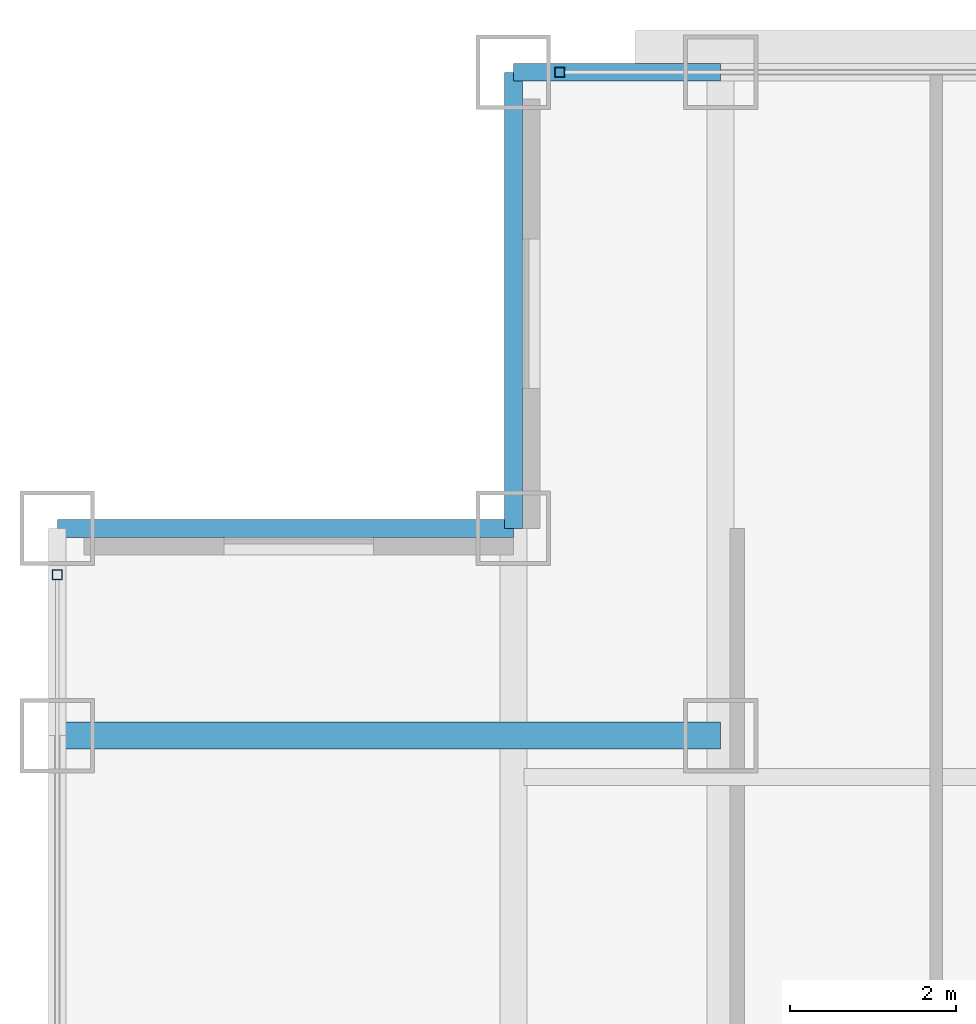
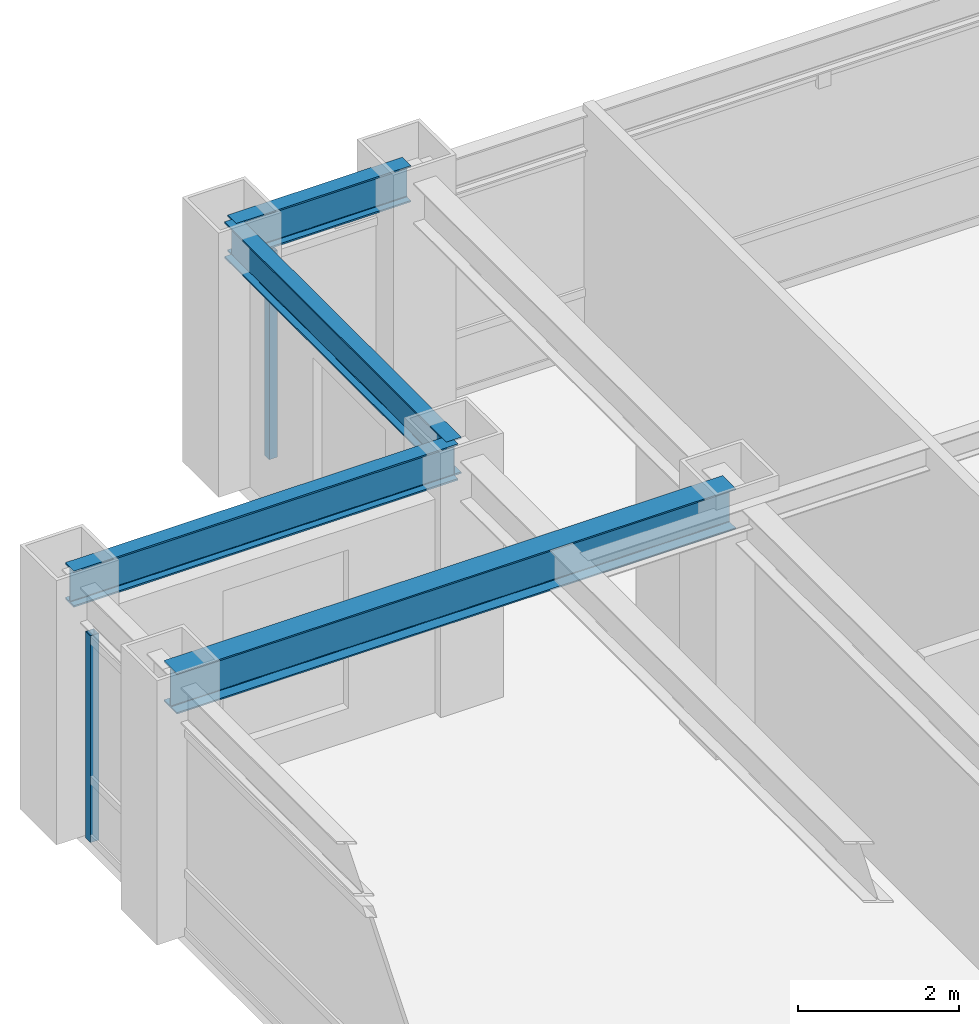
# One storey, part 12 of 27: 4 beams, 2 members, 2 elements without a shape of their own.
"""IFC4 building model written with IfcOpenShell, lengths in metres."""

import ifcopenshell
import ifcopenshell.guid

model = None  # the IFC model being written
_history = None  # IfcOwnerHistory: only IFC2X3 demands one
_inside = {}  # id of a spatial element -> (the spatial element, [elements in it])
_under = {}  # id of a project, library or spatial element -> (it, [spatial elements below it])
_declared = {}  # id of a project -> (the project, [libraries it declares])
_typed = {}  # id of a type object -> (the type object, [elements of that type])
_made_of = {}  # id of a material, layer set ... -> (it, [elements and type objects made of it])


def new_model(schema):
    """Start an empty IFC model of exactly this schema.

    Asked for "IFC4X3", IfcOpenShell would pick the latest addendum, in which some entities
    have other attributes; the version numbers below select the first issue.
    IFC2X3 requires an IfcOwnerHistory on every rooted entity: one is made here for all.
    """
    global model, _history
    if schema == "IFC4X3":
        model = ifcopenshell.file(schema_version=(4, 3, 0, 0))
    else:
        model = ifcopenshell.file(schema=schema)
    _inside.clear()
    _under.clear()
    _declared.clear()
    _typed.clear()
    _made_of.clear()
    _history = None
    if model.schema == "IFC2X3":
        org = make("IfcOrganization", Name="unknown")
        user = make(
            "IfcPersonAndOrganization",
            ThePerson=make("IfcPerson", FamilyName="unknown"),
            TheOrganization=org,
        )
        app = make(
            "IfcApplication",
            ApplicationDeveloper=org,
            Version="unknown",
            ApplicationFullName="unknown",
            ApplicationIdentifier="unknown",
        )
        _history = make(
            "IfcOwnerHistory",
            OwningUser=user,
            OwningApplication=app,
            ChangeAction="ADDED",
            CreationDate=0,
        )
    return model


def make(cls, **values):
    """One entity of the class cls with the attributes given. An attribute that is None is left unset."""
    return model.create_entity(
        cls, **{name: value for name, value in values.items() if value is not None}
    )


def rooted(cls, **values):
    """An entity with a GlobalId (a new one), such as an element, a storey or a relation."""
    return make(cls, GlobalId=ifcopenshell.guid.new(), OwnerHistory=_history, **values)


def si_unit(unit_type, name, prefix=None):
    """IfcSIUnit, for example si_unit("LENGTHUNIT", "METRE", prefix="MILLI")."""
    return make("IfcSIUnit", UnitType=unit_type, Prefix=prefix, Name=name)


def assignment(units):
    """IfcUnitAssignment: the units of a project."""
    return None if units is None else make("IfcUnitAssignment", Units=units)


def point(xyz):
    """IfcCartesianPoint."""
    return None if xyz is None else make("IfcCartesianPoint", Coordinates=xyz)


def direction(xyz):
    """IfcDirection."""
    return None if xyz is None else make("IfcDirection", DirectionRatios=xyz)


def frame(location, z_axis=None, x_axis=None):
    """IfcAxis2Placement3D, a coordinate frame: its origin and axes. An axis left out is left unset."""
    return make(
        "IfcAxis2Placement3D",
        Location=point(location),
        Axis=direction(z_axis),
        RefDirection=direction(x_axis),
    )


def frame_2d(location, x_axis=None):
    """IfcAxis2Placement2D, a coordinate frame in the plane: its origin and x axis."""
    return make(
        "IfcAxis2Placement2D", Location=point(location), RefDirection=direction(x_axis)
    )


def origin():
    """The frame at (0, 0, 0) with its axes left unset."""
    return frame((0.0, 0.0, 0.0))


def origin_2d():
    """The frame at (0, 0) in the plane with its x axis left unset."""
    return frame_2d((0.0, 0.0))


def place(relative_to, where):
    """IfcLocalPlacement: puts the frame where relative to a parent placement (None: the world)."""
    return make(
        "IfcLocalPlacement", PlacementRelTo=relative_to, RelativePlacement=where
    )


def context(
    kind, dimensions, precision=None, world=None, true_north=None, identifier=None
):
    """IfcGeometricRepresentationContext, for example the 3D "Model" context."""
    return make(
        "IfcGeometricRepresentationContext",
        ContextIdentifier=identifier,
        ContextType=kind,
        CoordinateSpaceDimension=dimensions,
        Precision=precision,
        WorldCoordinateSystem=world,
        TrueNorth=true_north,
    )


def subcontext(parent, identifier, kind, view, scale=None):
    """IfcGeometricRepresentationSubContext, for example "Body" below "Model"."""
    return make(
        "IfcGeometricRepresentationSubContext",
        ContextIdentifier=identifier,
        ContextType=kind,
        ParentContext=parent,
        TargetScale=scale,
        TargetView=view,
    )


def project(units=None, contexts=None):
    """IfcProject with its units and contexts."""
    return rooted(
        "IfcProject",
        Name="project",
        RepresentationContexts=contexts,
        UnitsInContext=assignment(units),
    )


def spatial(cls, under=None, at=None, **own):
    """A site, building, storey or space (cls), placed at a placement, below another one or the project."""
    s = rooted(cls, ObjectPlacement=at, **own)
    if under is not None:
        _under.setdefault(under.id(), (under, []))[1].append(s)
    return s


def profile(cls, at=None, kind="AREA", **sizes):
    """A parametric profile (cls). Its sizes go by their IFC names, for example OverallWidth=200.0."""
    return make(cls, ProfileType=kind, Position=at, **sizes)


def hollow_rectangle(**sizes):
    """IfcRectangleHollowProfileDef."""
    return profile("IfcRectangleHollowProfileDef", **sizes)


def i_section(**sizes):
    """IfcIShapeProfileDef."""
    return profile("IfcIShapeProfileDef", **sizes)


def extrude(swept, where, along, depth):
    """IfcExtrudedAreaSolid: the profile swept, set in the frame where, extruded along a direction by depth."""
    return make(
        "IfcExtrudedAreaSolid",
        SweptArea=swept,
        Position=where,
        ExtrudedDirection=direction(along),
        Depth=depth,
    )


def shape(context_of_items, identifier, shape_type, items):
    """IfcShapeRepresentation: the items that make up one representation, for example the "Body"."""
    return make(
        "IfcShapeRepresentation",
        ContextOfItems=context_of_items,
        RepresentationIdentifier=identifier,
        RepresentationType=shape_type,
        Items=items,
    )


def source(mapping_origin, context_of_items, identifier, shape_type, items):
    """IfcRepresentationMap: a shape defined once, which mapped items show again and again."""
    return make(
        "IfcRepresentationMap",
        MappingOrigin=mapping_origin,
        MappedRepresentation=shape(context_of_items, identifier, shape_type, items),
    )


def transform(
    local_origin,
    x_axis=None,
    y_axis=None,
    z_axis=None,
    scale=None,
    scale2=None,
    scale3=None,
    uniform=True,
):
    """IfcCartesianTransformationOperator3D, or its non-uniform kind. x_axis, y_axis, z_axis: its Axis1, 2, 3."""
    if uniform:
        return make(
            "IfcCartesianTransformationOperator3D",
            Axis1=direction(x_axis),
            Axis2=direction(y_axis),
            LocalOrigin=point(local_origin),
            Scale=scale,
            Axis3=direction(z_axis),
        )
    return make(
        "IfcCartesianTransformationOperator3DnonUniform",
        Axis1=direction(x_axis),
        Axis2=direction(y_axis),
        LocalOrigin=point(local_origin),
        Scale=scale,
        Axis3=direction(z_axis),
        Scale2=scale2,
        Scale3=scale3,
    )


def mapped(mapping_source, mapping_target):
    """IfcMappedItem: shows the shape of a source again, moved by a transform."""
    return make(
        "IfcMappedItem", MappingSource=mapping_source, MappingTarget=mapping_target
    )


def material(Name=None, Category=None):
    """IfcMaterial."""
    return make("IfcMaterial", Name=Name, Category=Category)


def material_profile(
    of_material, cross_section, Name=None, Category=None, Priority=None
):
    """IfcMaterialProfile: a cross section and its material."""
    return make(
        "IfcMaterialProfile",
        Name=Name,
        Material=of_material,
        Profile=cross_section,
        Priority=Priority,
        Category=Category,
    )


def profile_set(profiles, Name=None, composite=None):
    """IfcMaterialProfileSet."""
    return make(
        "IfcMaterialProfileSet",
        Name=Name,
        MaterialProfiles=profiles,
        CompositeProfile=composite,
    )


def made_of(thing, what):
    """Note that an element or type object is made of a material, layer set ...; save() writes the relation."""
    if what is not None:
        _made_of.setdefault(what.id(), (what, []))[1].append(thing)
    return thing


def type_object(cls, material=None, **own):
    """A type object (cls), such as IfcWallType, which elements share."""
    return made_of(rooted(cls, **own), material)


def element(
    cls,
    number,
    at=None,
    inside=None,
    cuts=None,
    type_object=None,
    material=None,
    context=None,
    identifier="Body",
    shape_type=None,
    held_by="IfcProductDefinitionShape",
    body=None,
    shapes=None,
    **own,
):
    """One element of the class cls, such as IfcWall. Its Tag is "e" and its number.

    at: its placement. inside: the storey or other place that contains it. cuts: it is an
    opening in that element (IfcRelVoidsElement). A single representation is given by context,
    identifier, shape_type and body (its items); several are given by shapes. held_by: the class
    of the entity that holds the representations. save() writes the other relations.
    """
    e = rooted(cls, Tag="e%d" % number, ObjectPlacement=at, **own)
    if body is not None:
        shapes = [shape(context, identifier, shape_type, body)]
    if shapes is not None:
        e.Representation = make(held_by, Representations=shapes)
    if inside is not None:
        _inside.setdefault(inside.id(), (inside, []))[1].append(e)
    if cuts is not None:
        rooted(
            "IfcRelVoidsElement", RelatingBuildingElement=cuts, RelatedOpeningElement=e
        )
    if type_object is not None:
        _typed.setdefault(type_object.id(), (type_object, []))[1].append(e)
    return made_of(e, material)


def aggregate(whole, parts):
    """IfcRelAggregates: a whole, such as a stair, and the parts it consists of."""
    return rooted("IfcRelAggregates", RelatingObject=whole, RelatedObjects=parts)


def save(model, path):
    """Write the relations noted so far, then the file.

    IfcRelAggregates (storeys below a building ...), IfcRelContainedInSpatialStructure (elements
    in a storey), IfcRelDefinesByType, IfcRelAssociatesMaterial and IfcRelDeclares: one each for
    every whole, place, type object, material and project.
    """
    for whole, parts in _under.values():
        aggregate(whole, parts)
    for where, things in _inside.values():
        rooted(
            "IfcRelContainedInSpatialStructure",
            RelatedElements=things,
            RelatingStructure=where,
        )
    for kind, things in _typed.values():
        rooted("IfcRelDefinesByType", RelatedObjects=things, RelatingType=kind)
    for what, things in _made_of.values():
        rooted("IfcRelAssociatesMaterial", RelatedObjects=things, RelatingMaterial=what)
    for by, libraries in _declared.values():
        rooted("IfcRelDeclares", RelatingContext=by, RelatedDefinitions=libraries)
    model.write(path)


model = new_model("IFC4")

# Units and contexts
model_context = context("Model", 3, precision=1e-05, world=origin(), true_north=direction((0.0, 1.0)))
body_context = subcontext(model_context, "Body", "Model", "MODEL_VIEW")
ifc_project = project(units=[si_unit("LENGTHUNIT", "METRE"), si_unit("AREAUNIT", "SQUARE_METRE"), si_unit("VOLUMEUNIT", "CUBIC_METRE"), si_unit("PLANEANGLEUNIT", "RADIAN"), si_unit("MASSUNIT", "GRAM", prefix="KILO")], contexts=[model_context])

# Site, building, storey
site_placement = place(None, origin())
site = spatial("IfcSite", under=ifc_project, at=site_placement, CompositionType="ELEMENT")
building_placement = place(site_placement, origin())
building = spatial("IfcBuilding", under=site, at=building_placement, Name="Khorayat Bourse Tower", CompositionType="ELEMENT")
storey_placement = place(building_placement, frame((0.0, 0.0, 317.5)))
storey = spatial("IfcBuildingStorey", under=building, at=storey_placement, Name="L75", CompositionType="ELEMENT", Elevation=317.5)

# Beams
ifc_material_1 = material(Name="Steel ASTM A992 Grade 50", Category="steel")
ifc_material_profile_1 = material_profile(ifc_material_1, i_section(OverallWidth=0.324951171875, OverallDepth=0.615966796875, WebThickness=0.013916015625, FlangeThickness=0.021484375, FilletRadius=0.01611328125, at=origin_2d()), Name="W610X174")
ifc_profile_set_1 = profile_set([ifc_material_profile_1], Name="Steel ASTM A992 Grade 50")
beam_type_1 = type_object("IfcBeamType", Name="BM-GIRD-610", PredefinedType="BEAM", material=ifc_profile_set_1)
shared_shape_1 = source(origin(), body_context, "Body", "SweptSolid", [
    extrude(i_section(OverallWidth=0.324951171875, OverallDepth=0.615966796875, WebThickness=0.013916015625, FlangeThickness=0.021484375, FilletRadius=0.01611328125, at=origin_2d()), origin(), (0.0, 0.0, 1.0), 8.0),
])
beam_1_placement = place(storey_placement, frame((-28.0, 20.0, 3.471923828125), z_axis=(1.0, 0.0, 0.0), x_axis=(0.0, 1.0, 0.0)))
element("IfcBeam", 1, at=beam_1_placement, inside=storey, type_object=beam_type_1, Name="L75 BM-GIRD-610 BM-L75-CNRX-095", PredefinedType="BEAM", context=body_context, shape_type="MappedRepresentation", body=[
    mapped(shared_shape_1, transform((0.0, 0.0, 0.0), scale=1.0)),
])
ifc_material_profile_2 = material_profile(ifc_material_1, i_section(OverallWidth=0.214111328125, OverallDepth=0.549072265625, WebThickness=0.0146484375, FlangeThickness=0.023681640625, FilletRadius=0.013916015625, at=origin_2d()), Name="W530X138")
ifc_profile_set_2 = profile_set([ifc_material_profile_2], Name="Steel ASTM A992 Grade 50")
beam_type_2 = type_object("IfcBeamType", Name="BM-SPAN-530", PredefinedType="SPANDREL", material=ifc_profile_set_2)
shared_shape_2 = source(origin(), body_context, "Body", "SweptSolid", [
    extrude(i_section(OverallWidth=0.214111328125, OverallDepth=0.549072265625, WebThickness=0.0146484375, FlangeThickness=0.023681640625, FilletRadius=0.013916015625, at=origin_2d()), origin(), (0.0, 0.0, 1.0), 2.5),
])
beam_2_placement = place(storey_placement, frame((-22.5, 28.0, 3.505615234375), z_axis=(1.0, 0.0, 0.0), x_axis=(0.0, 1.0, 0.0)))
element("IfcBeam", 2, at=beam_2_placement, inside=storey, type_object=beam_type_2, Name="L75 BM-SPAN-530 BM-L75-SPN-051", PredefinedType="SPANDREL", context=body_context, shape_type="MappedRepresentation", body=[
    mapped(shared_shape_2, transform((0.0, 0.0, 0.0), scale=1.0)),
])
shared_shape_3 = source(origin(), body_context, "Body", "SweptSolid", [
    extrude(i_section(OverallWidth=0.214111328125, OverallDepth=0.549072265625, WebThickness=0.0146484375, FlangeThickness=0.023681640625, FilletRadius=0.013916015625, at=origin_2d()), origin(), (0.0, 0.0, 1.0), 5.5),
])
for number, where, z_axis, x_axis, name in (
    (3, (-22.5, 22.5, 3.505615234375), (0.0, 1.0, 0.0), (-1.0, 0.0, 0.0), "L75 BM-SPAN-530 BM-L75-SPN-052"),
    (4, (-28.0, 22.5, 3.505615234375), (1.0, 0.0, 0.0), (0.0, 1.0, 0.0), "L75 BM-SPAN-530 BM-L75-SPN-053"),
):
    element("IfcBeam", number, at=place(storey_placement, frame(where, z_axis=z_axis, x_axis=x_axis)), inside=storey, type_object=beam_type_2, Name=name, PredefinedType="SPANDREL", context=body_context, shape_type="MappedRepresentation", body=[
        mapped(shared_shape_3, transform((0.0, 0.0, 0.0), scale=1.0)),
    ])

# Curtain wall, member
ifc_material_2 = material(Name="Aluminium EN AW-6063 T6", Category="aluminium")
curtain_wall_type = type_object("IfcCurtainWallType", Name="CW-SYS-04", PredefinedType="NOTDEFINED", material=ifc_material_2)
curtain_wall_1_placement = place(storey_placement, origin())
curtain_wall_1 = element("IfcCurtainWall", 5, at=curtain_wall_1_placement, inside=storey, type_object=curtain_wall_type, Name="L75 Curtain Wall CW-L75-N1", PredefinedType="NOTDEFINED")
ifc_material_profile_3 = material_profile(ifc_material_2, hollow_rectangle(XDim=0.1201171875, YDim=0.1201171875, WallThickness=0.0048828125, at=origin_2d()), Name="ALU 120x120x5")
ifc_profile_set_3 = profile_set([ifc_material_profile_3], Name="Aluminium EN AW-6063 T6")
member_type = type_object("IfcMemberType", Name="CWM-VERT-120", PredefinedType="MULLION", material=ifc_profile_set_3)
shared_shape_4 = source(origin(), body_context, "Body", "SweptSolid", [
    extrude(hollow_rectangle(XDim=0.1201171875, YDim=0.1201171875, WallThickness=0.0048828125, at=origin_2d()), origin(), (0.0, 0.0, 1.0), 3.1298828125),
])
member_1_placement = place(storey_placement, frame((-21.93994140625, 28.0, 0.0), z_axis=(0.0, 0.0, 1.0), x_axis=(0.0, 1.0, 0.0)))
member_1 = element("IfcMember", 6, at=member_1_placement, type_object=member_type, Name="CW-L75-N1 Vertical Mullion 1", PredefinedType="MULLION", context=body_context, shape_type="MappedRepresentation", body=[
    mapped(shared_shape_4, transform((0.0, 0.0, 0.0), scale=1.0)),
])
aggregate(curtain_wall_1, [member_1])

curtain_wall_2_placement = place(storey_placement, origin())
curtain_wall_2 = element("IfcCurtainWall", 7, at=curtain_wall_2_placement, inside=storey, type_object=curtain_wall_type, Name="L75 Curtain Wall CW-L75-W1", PredefinedType="NOTDEFINED")
member_2_placement = place(storey_placement, frame((-28.0, 21.93994140625, 0.0), z_axis=(0.0, 0.0, 1.0), x_axis=(-1.0, 0.0, 0.0)))
member_2 = element("IfcMember", 8, at=member_2_placement, type_object=member_type, Name="CW-L75-W1 Vertical Mullion 3", PredefinedType="MULLION", context=body_context, shape_type="MappedRepresentation", body=[
    mapped(shared_shape_4, transform((0.0, 0.0, 0.0), scale=1.0)),
])
aggregate(curtain_wall_2, [member_2])

save(model, "model.ifc")
